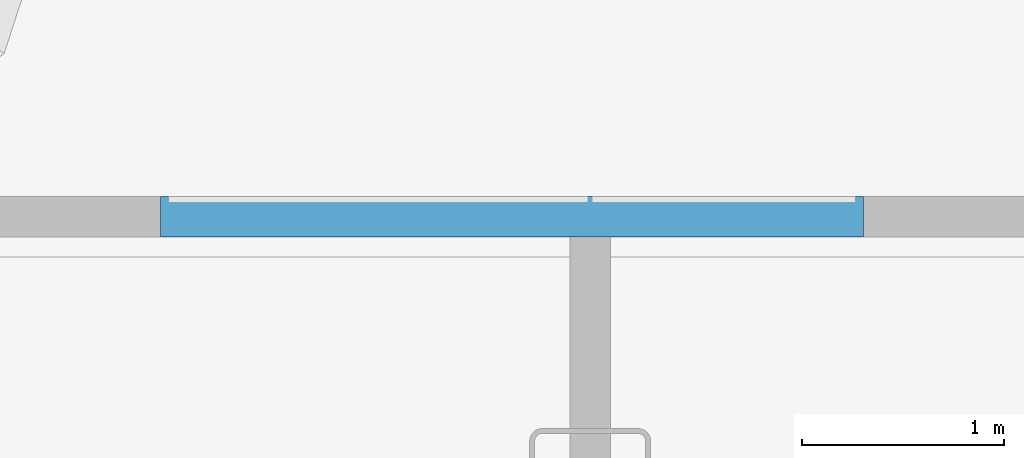
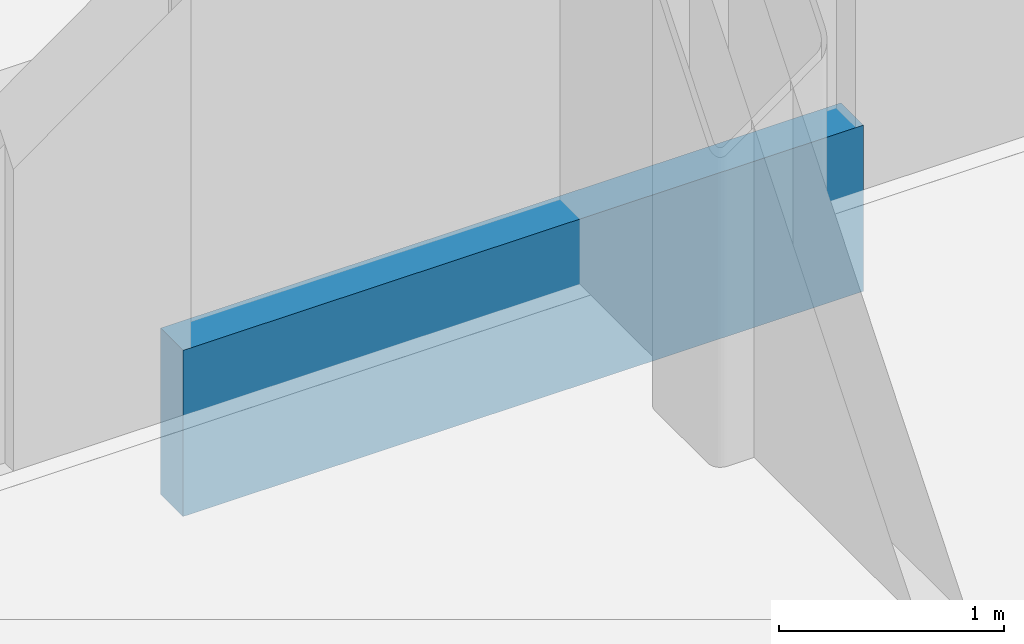
# One storey, part 7 of 28: 1 member, 1 element without a shape of its own.
"""IFC4 building model written with IfcOpenShell, lengths in metres."""

from ifc_helpers import new_model, si_unit, direction, frame, origin, origin_2d, place, context, subcontext, project, spatial, rectangle, extrude, material, layer, layer_set, material_profile, profile_set, type_object, element, aggregate, save


model = new_model("IFC4")

# Units and contexts
model_context = context("Model", 3, precision=1e-05, world=origin(), true_north=direction((0.0, 1.0)))
body_context = subcontext(model_context, "Body", "Model", "MODEL_VIEW")
ifc_project = project(units=[si_unit("LENGTHUNIT", "METRE"), si_unit("AREAUNIT", "SQUARE_METRE"), si_unit("VOLUMEUNIT", "CUBIC_METRE"), si_unit("PLANEANGLEUNIT", "RADIAN"), si_unit("MASSUNIT", "GRAM", prefix="KILO")], contexts=[model_context])

# Site, building, storey
site_placement = place(None, origin())
site = spatial("IfcSite", under=ifc_project, at=site_placement, CompositionType="ELEMENT")
building_placement = place(site_placement, origin())
building = spatial("IfcBuilding", under=site, at=building_placement, Name="Hakoniwa Tower and Hamabe Station Hall", CompositionType="ELEMENT")
storey_placement = place(building_placement, frame((0.0, 0.0, 218.60009765625)))
storey = spatial("IfcBuildingStorey", under=building, at=storey_placement, Name="L62", CompositionType="ELEMENT", Elevation=218.60009765625)

# Curtain wall, member
ifc_material_1 = material(Name="Dark low-e laminated glass", Category="glass")
ifc_layer = layer(ifc_material_1, 0.199951171875)
ifc_layer_set = layer_set([ifc_layer], Name="CW-1 UNITISED GUEST")
curtain_wall_type = type_object("IfcCurtainWallType", Name="CW-1 UNITISED GUEST", PredefinedType="NOTDEFINED", material=ifc_layer_set)
curtain_wall_placement = place(storey_placement, origin())
curtain_wall = element("IfcCurtainWall", 1, at=curtain_wall_placement, inside=storey, type_object=curtain_wall_type, Name="CW-1 curtain wall", PredefinedType="NOTDEFINED")
ifc_material_2 = material(Name="Aluminium 6063-T5 black anodised", Category="aluminium")
ifc_material_profile = material_profile(ifc_material_2, rectangle(XDim=0.199951171875, YDim=0.89990234375, at=origin_2d()), Name="CW SLAB-EDGE BAND 900X200")
ifc_profile_set = profile_set([ifc_material_profile], Name="Aluminium 6063-T5 black anodised")
member_type = type_object("IfcMemberType", Name="CW SLAB-EDGE BAND 900X200", PredefinedType="USERDEFINED", material=ifc_profile_set)
member_placement = place(storey_placement, frame((26.554931640625, 20.449951171875, -0.10009765625), z_axis=(-1.0, 0.0, 0.0), x_axis=(0.0, -1.0, 0.0)))
member = element("IfcMember", 2, at=member_placement, type_object=member_type, Name="CW-1 transom", ObjectType="TRANSOM", PredefinedType="USERDEFINED", context=body_context, shape_type="SweptSolid", body=[
    extrude(rectangle(XDim=0.199951171875, YDim=0.89990234375, at=origin_2d()), origin(), (0.0, 0.0, 1.0), 3.48486328125),
])
aggregate(curtain_wall, [member])

save(model, "model.ifc")
